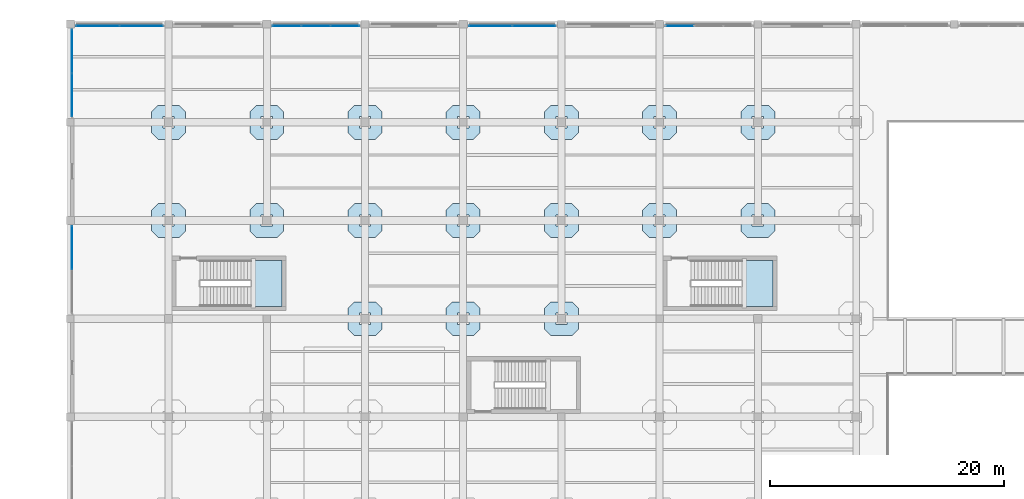
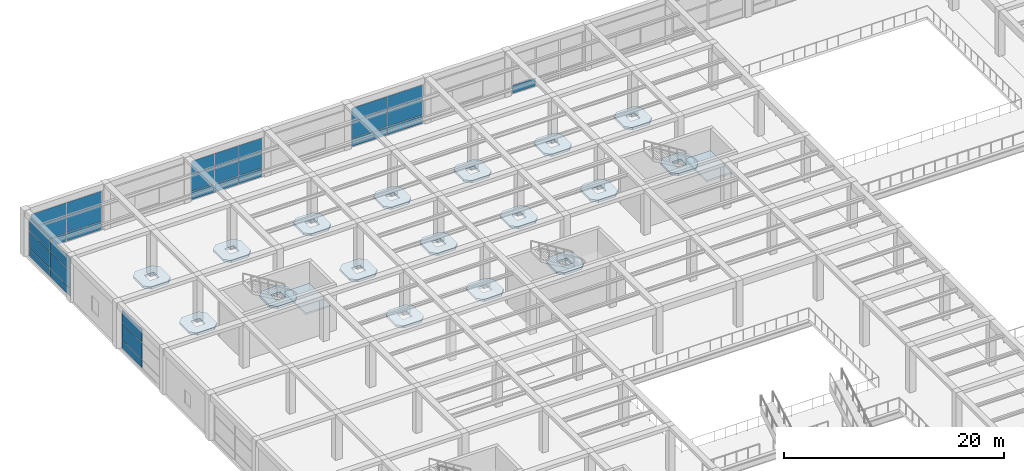
# One storey, part 72 of 96: 31 plates, 19 slabs, 8 elements without a shape of their own.
"""IFC4 building model written with IfcOpenShell, lengths in metres."""

from ifc_helpers import new_model, si_unit, direction, frame, origin, origin_2d, place, context, subcontext, project, spatial, polyline, rectangle, outline, extrude, material, layer, layer_set, type_object, element, aggregate, save


model = new_model("IFC4")

# Units and contexts
model_context = context("Model", 3, precision=1e-05, world=origin(), true_north=direction((0.0, 1.0)))
body_context = subcontext(model_context, "Body", "Model", "MODEL_VIEW")
ifc_project = project(units=[si_unit("LENGTHUNIT", "METRE"), si_unit("AREAUNIT", "SQUARE_METRE"), si_unit("VOLUMEUNIT", "CUBIC_METRE"), si_unit("PLANEANGLEUNIT", "RADIAN"), si_unit("MASSUNIT", "GRAM", prefix="KILO")], contexts=[model_context])

# Site, building, storey
site_placement = place(None, origin())
site = spatial("IfcSite", under=ifc_project, at=site_placement, CompositionType="ELEMENT")
building_placement = place(site_placement, origin())
building = spatial("IfcBuilding", under=site, at=building_placement, Name="Almacenes y Pasaje Nevantli", CompositionType="ELEMENT")
storey_placement = place(building_placement, frame((0.0, 0.0, 6.0)))
storey = spatial("IfcBuildingStorey", under=building, at=storey_placement, Name="L02", CompositionType="ELEMENT", Elevation=6.0)

# Curtain wall, plates
ifc_material_1 = material(Name="Thermally Broken Aluminium and Low-E Glass", Category="aluminium")
curtain_wall_type_1 = type_object("IfcCurtainWallType", Name="CW-STF-BLVD", PredefinedType="USERDEFINED", material=ifc_material_1)
curtain_wall_1_placement = place(storey_placement, origin())
curtain_wall_1 = element("IfcCurtainWall", 1, at=curtain_wall_1_placement, inside=storey, type_object=curtain_wall_type_1, Name="L02 North Boulevard Retail Curtain Wall Bay 1", ObjectType="STOREFRONT GLAZING", PredefinedType="USERDEFINED")
ifc_material_2 = material(Name="Low-E Double Glazed Insulated Unit", Category="glass")
ifc_layer_1 = layer(ifc_material_2, 0.031982421875)
ifc_layer_set_1 = layer_set([ifc_layer_1], Name="Low-E Double Glazed Insulated Unit")
plate_type = type_object("IfcPlateType", Name="PL-IGU-32", PredefinedType="CURTAIN_PANEL", material=ifc_layer_set_1)
plate_1_placement = place(storey_placement, frame((2.340087890625, 117.449951171875, 0.06005859375), z_axis=(0.0, 0.0, 1.0), x_axis=(1.0, 0.0, 0.0)))
plate_1 = element("IfcPlate", 2, at=plate_1_placement, type_object=plate_type, Name="CW-L02-001 panel 1.1", PredefinedType="CURTAIN_PANEL", context=body_context, shape_type="SweptSolid", body=[
    extrude(rectangle(XDim=3.659912109375, YDim=0.031982421875, at=origin_2d()), origin(), (0.0, 0.0, 1.0), 0.860107421875),
])
plate_2_placement = place(storey_placement, frame((2.340087890625, 117.449951171875, 0.97998046875), z_axis=(0.0, 0.0, 1.0), x_axis=(1.0, 0.0, 0.0)))
plate_2 = element("IfcPlate", 3, at=plate_2_placement, type_object=plate_type, Name="CW-L02-001 panel 1.2", PredefinedType="CURTAIN_PANEL", context=body_context, shape_type="SweptSolid", body=[
    extrude(rectangle(XDim=3.659912109375, YDim=0.031982421875, at=origin_2d()), origin(), (0.0, 0.0, 1.0), 1.840087890625),
])
plate_3_placement = place(storey_placement, frame((2.340087890625, 117.449951171875, 2.880126953125), z_axis=(0.0, 0.0, 1.0), x_axis=(1.0, 0.0, 0.0)))
plate_3 = element("IfcPlate", 4, at=plate_3_placement, type_object=plate_type, Name="CW-L02-001 panel 1.3", PredefinedType="CURTAIN_PANEL", context=body_context, shape_type="SweptSolid", body=[
    extrude(rectangle(XDim=3.659912109375, YDim=0.031982421875, at=origin_2d()), origin(), (0.0, 0.0, 1.0), 1.43994140625),
])
plate_4_placement = place(storey_placement, frame((6.06005859375, 117.449951171875, 0.06005859375), z_axis=(0.0, 0.0, 1.0), x_axis=(1.0, 0.0, 0.0)))
plate_4 = element("IfcPlate", 5, at=plate_4_placement, type_object=plate_type, Name="CW-L02-001 panel 2.1", PredefinedType="CURTAIN_PANEL", context=body_context, shape_type="SweptSolid", body=[
    extrude(rectangle(XDim=3.659912109375, YDim=0.031982421875, at=origin_2d()), origin(), (0.0, 0.0, 1.0), 0.860107421875),
])
plate_5_placement = place(storey_placement, frame((6.06005859375, 117.449951171875, 0.97998046875), z_axis=(0.0, 0.0, 1.0), x_axis=(1.0, 0.0, 0.0)))
plate_5 = element("IfcPlate", 6, at=plate_5_placement, type_object=plate_type, Name="CW-L02-001 panel 2.2", PredefinedType="CURTAIN_PANEL", context=body_context, shape_type="SweptSolid", body=[
    extrude(rectangle(XDim=3.659912109375, YDim=0.031982421875, at=origin_2d()), origin(), (0.0, 0.0, 1.0), 1.840087890625),
])
plate_6_placement = place(storey_placement, frame((6.06005859375, 117.449951171875, 2.880126953125), z_axis=(0.0, 0.0, 1.0), x_axis=(1.0, 0.0, 0.0)))
plate_6 = element("IfcPlate", 7, at=plate_6_placement, type_object=plate_type, Name="CW-L02-001 panel 2.3", PredefinedType="CURTAIN_PANEL", context=body_context, shape_type="SweptSolid", body=[
    extrude(rectangle(XDim=3.659912109375, YDim=0.031982421875, at=origin_2d()), origin(), (0.0, 0.0, 1.0), 1.43994140625),
])
aggregate(curtain_wall_1, [plate_1, plate_2, plate_3, plate_4, plate_5, plate_6])

curtain_wall_2_placement = place(storey_placement, origin())
curtain_wall_2 = element("IfcCurtainWall", 8, at=curtain_wall_2_placement, inside=storey, type_object=curtain_wall_type_1, Name="L02 North Boulevard Retail Curtain Wall Bay 3", ObjectType="STOREFRONT GLAZING", PredefinedType="USERDEFINED")
plate_7_placement = place(storey_placement, frame((18.514892578125, 117.449951171875, 0.06005859375), z_axis=(0.0, 0.0, 1.0), x_axis=(1.0, 0.0, 0.0)))
plate_7 = element("IfcPlate", 9, at=plate_7_placement, type_object=plate_type, Name="CW-L02-002 panel 1.1", PredefinedType="CURTAIN_PANEL", context=body_context, shape_type="SweptSolid", body=[
    extrude(rectangle(XDim=2.409912109375, YDim=0.031982421875, at=origin_2d()), origin(), (0.0, 0.0, 1.0), 0.860107421875),
])
plate_8_placement = place(storey_placement, frame((18.514892578125, 117.449951171875, 0.97998046875), z_axis=(0.0, 0.0, 1.0), x_axis=(1.0, 0.0, 0.0)))
plate_8 = element("IfcPlate", 10, at=plate_8_placement, type_object=plate_type, Name="CW-L02-002 panel 1.2", PredefinedType="CURTAIN_PANEL", context=body_context, shape_type="SweptSolid", body=[
    extrude(rectangle(XDim=2.409912109375, YDim=0.031982421875, at=origin_2d()), origin(), (0.0, 0.0, 1.0), 1.840087890625),
])
plate_9_placement = place(storey_placement, frame((18.514892578125, 117.449951171875, 2.880126953125), z_axis=(0.0, 0.0, 1.0), x_axis=(1.0, 0.0, 0.0)))
plate_9 = element("IfcPlate", 11, at=plate_9_placement, type_object=plate_type, Name="CW-L02-002 panel 1.3", PredefinedType="CURTAIN_PANEL", context=body_context, shape_type="SweptSolid", body=[
    extrude(rectangle(XDim=2.409912109375, YDim=0.031982421875, at=origin_2d()), origin(), (0.0, 0.0, 1.0), 1.43994140625),
])
plate_10_placement = place(storey_placement, frame((21.0, 117.449951171875, 0.06005859375), z_axis=(0.0, 0.0, 1.0), x_axis=(1.0, 0.0, 0.0)))
plate_10 = element("IfcPlate", 12, at=plate_10_placement, type_object=plate_type, Name="CW-L02-002 panel 2.1", PredefinedType="CURTAIN_PANEL", context=body_context, shape_type="SweptSolid", body=[
    extrude(rectangle(XDim=2.43994140625, YDim=0.031982421875, at=origin_2d()), origin(), (0.0, 0.0, 1.0), 0.860107421875),
])
plate_11_placement = place(storey_placement, frame((21.0, 117.449951171875, 0.97998046875), z_axis=(0.0, 0.0, 1.0), x_axis=(1.0, 0.0, 0.0)))
plate_11 = element("IfcPlate", 13, at=plate_11_placement, type_object=plate_type, Name="CW-L02-002 panel 2.2", PredefinedType="CURTAIN_PANEL", context=body_context, shape_type="SweptSolid", body=[
    extrude(rectangle(XDim=2.43994140625, YDim=0.031982421875, at=origin_2d()), origin(), (0.0, 0.0, 1.0), 1.840087890625),
])
plate_12_placement = place(storey_placement, frame((21.0, 117.449951171875, 2.880126953125), z_axis=(0.0, 0.0, 1.0), x_axis=(1.0, 0.0, 0.0)))
plate_12 = element("IfcPlate", 14, at=plate_12_placement, type_object=plate_type, Name="CW-L02-002 panel 2.3", PredefinedType="CURTAIN_PANEL", context=body_context, shape_type="SweptSolid", body=[
    extrude(rectangle(XDim=2.43994140625, YDim=0.031982421875, at=origin_2d()), origin(), (0.0, 0.0, 1.0), 1.43994140625),
])
plate_13_placement = place(storey_placement, frame((23.485107421875, 117.449951171875, 0.06005859375), z_axis=(0.0, 0.0, 1.0), x_axis=(1.0, 0.0, 0.0)))
plate_13 = element("IfcPlate", 15, at=plate_13_placement, type_object=plate_type, Name="CW-L02-002 panel 3.1", PredefinedType="CURTAIN_PANEL", context=body_context, shape_type="SweptSolid", body=[
    extrude(rectangle(XDim=2.409912109375, YDim=0.031982421875, at=origin_2d()), origin(), (0.0, 0.0, 1.0), 0.860107421875),
])
plate_14_placement = place(storey_placement, frame((23.485107421875, 117.449951171875, 0.97998046875), z_axis=(0.0, 0.0, 1.0), x_axis=(1.0, 0.0, 0.0)))
plate_14 = element("IfcPlate", 16, at=plate_14_placement, type_object=plate_type, Name="CW-L02-002 panel 3.2", PredefinedType="CURTAIN_PANEL", context=body_context, shape_type="SweptSolid", body=[
    extrude(rectangle(XDim=2.409912109375, YDim=0.031982421875, at=origin_2d()), origin(), (0.0, 0.0, 1.0), 1.840087890625),
])
plate_15_placement = place(storey_placement, frame((23.485107421875, 117.449951171875, 2.880126953125), z_axis=(0.0, 0.0, 1.0), x_axis=(1.0, 0.0, 0.0)))
plate_15 = element("IfcPlate", 17, at=plate_15_placement, type_object=plate_type, Name="CW-L02-002 panel 3.3", PredefinedType="CURTAIN_PANEL", context=body_context, shape_type="SweptSolid", body=[
    extrude(rectangle(XDim=2.409912109375, YDim=0.031982421875, at=origin_2d()), origin(), (0.0, 0.0, 1.0), 1.43994140625),
])
aggregate(curtain_wall_2, [plate_7, plate_8, plate_9, plate_10, plate_11, plate_12, plate_13, plate_14, plate_15])

curtain_wall_3_placement = place(storey_placement, origin())
curtain_wall_3 = element("IfcCurtainWall", 18, at=curtain_wall_3_placement, inside=storey, type_object=curtain_wall_type_1, Name="L02 North Boulevard Retail Curtain Wall Bay 5", ObjectType="STOREFRONT GLAZING", PredefinedType="USERDEFINED")
plate_16_placement = place(storey_placement, frame((35.93994140625, 117.449951171875, 0.06005859375), z_axis=(0.0, 0.0, 1.0), x_axis=(1.0, 0.0, 0.0)))
plate_16 = element("IfcPlate", 19, at=plate_16_placement, type_object=plate_type, Name="CW-L02-003 panel 1.1", PredefinedType="CURTAIN_PANEL", context=body_context, shape_type="SweptSolid", body=[
    extrude(rectangle(XDim=3.659912109375, YDim=0.031982421875, at=origin_2d()), origin(), (0.0, 0.0, 1.0), 0.860107421875),
])
plate_17_placement = place(storey_placement, frame((35.93994140625, 117.449951171875, 0.97998046875), z_axis=(0.0, 0.0, 1.0), x_axis=(1.0, 0.0, 0.0)))
plate_17 = element("IfcPlate", 20, at=plate_17_placement, type_object=plate_type, Name="CW-L02-003 panel 1.2", PredefinedType="CURTAIN_PANEL", context=body_context, shape_type="SweptSolid", body=[
    extrude(rectangle(XDim=3.659912109375, YDim=0.031982421875, at=origin_2d()), origin(), (0.0, 0.0, 1.0), 1.840087890625),
])
plate_18_placement = place(storey_placement, frame((35.93994140625, 117.449951171875, 2.880126953125), z_axis=(0.0, 0.0, 1.0), x_axis=(1.0, 0.0, 0.0)))
plate_18 = element("IfcPlate", 21, at=plate_18_placement, type_object=plate_type, Name="CW-L02-003 panel 1.3", PredefinedType="CURTAIN_PANEL", context=body_context, shape_type="SweptSolid", body=[
    extrude(rectangle(XDim=3.659912109375, YDim=0.031982421875, at=origin_2d()), origin(), (0.0, 0.0, 1.0), 1.43994140625),
])
plate_19_placement = place(storey_placement, frame((39.659912109375, 117.449951171875, 0.06005859375), z_axis=(0.0, 0.0, 1.0), x_axis=(1.0, 0.0, 0.0)))
plate_19 = element("IfcPlate", 22, at=plate_19_placement, type_object=plate_type, Name="CW-L02-003 panel 2.1", PredefinedType="CURTAIN_PANEL", context=body_context, shape_type="SweptSolid", body=[
    extrude(rectangle(XDim=3.659912109375, YDim=0.031982421875, at=origin_2d()), origin(), (0.0, 0.0, 1.0), 0.860107421875),
])
plate_20_placement = place(storey_placement, frame((39.659912109375, 117.449951171875, 0.97998046875), z_axis=(0.0, 0.0, 1.0), x_axis=(1.0, 0.0, 0.0)))
plate_20 = element("IfcPlate", 23, at=plate_20_placement, type_object=plate_type, Name="CW-L02-003 panel 2.2", PredefinedType="CURTAIN_PANEL", context=body_context, shape_type="SweptSolid", body=[
    extrude(rectangle(XDim=3.659912109375, YDim=0.031982421875, at=origin_2d()), origin(), (0.0, 0.0, 1.0), 1.840087890625),
])
plate_21_placement = place(storey_placement, frame((39.659912109375, 117.449951171875, 2.880126953125), z_axis=(0.0, 0.0, 1.0), x_axis=(1.0, 0.0, 0.0)))
plate_21 = element("IfcPlate", 24, at=plate_21_placement, type_object=plate_type, Name="CW-L02-003 panel 2.3", PredefinedType="CURTAIN_PANEL", context=body_context, shape_type="SweptSolid", body=[
    extrude(rectangle(XDim=3.659912109375, YDim=0.031982421875, at=origin_2d()), origin(), (0.0, 0.0, 1.0), 1.43994140625),
])
aggregate(curtain_wall_3, [plate_16, plate_17, plate_18, plate_19, plate_20, plate_21])

# Curtain wall, plate
curtain_wall_4_placement = place(storey_placement, origin())
curtain_wall_4 = element("IfcCurtainWall", 25, at=curtain_wall_4_placement, inside=storey, type_object=curtain_wall_type_1, Name="L02 North Boulevard Retail Curtain Wall Bay 7", ObjectType="STOREFRONT GLAZING", PredefinedType="USERDEFINED")
plate_22_placement = place(storey_placement, frame((52.114990234375, 117.449951171875, 0.06005859375), z_axis=(0.0, 0.0, 1.0), x_axis=(1.0, 0.0, 0.0)))
plate_22 = element("IfcPlate", 26, at=plate_22_placement, type_object=plate_type, Name="CW-L02-004 panel 1.1", PredefinedType="CURTAIN_PANEL", context=body_context, shape_type="SweptSolid", body=[
    extrude(rectangle(XDim=2.409912109375, YDim=0.031982421875, at=origin_2d()), origin(), (0.0, 0.0, 1.0), 0.860107421875),
])
aggregate(curtain_wall_4, [plate_22])

# Curtain wall, plates
ifc_material_3 = material(Name="Thermally Broken Aluminium and Low-E Glass", Category="aluminium")
curtain_wall_type_2 = type_object("IfcCurtainWallType", Name="CW-UNIT-PODIUM", PredefinedType="USERDEFINED", material=ifc_material_3)
curtain_wall_5_placement = place(storey_placement, origin())
curtain_wall_5 = element("IfcCurtainWall", 27, at=curtain_wall_5_placement, inside=storey, type_object=curtain_wall_type_2, Name="L02 West Avenue Unitized Curtain Wall Bay 12", ObjectType="UNITIZED CURTAIN WALL", PredefinedType="USERDEFINED")
plate_23_placement = place(storey_placement, frame((0.14990234375, 98.461181640625, 0.05517578125), z_axis=(0.0, 0.0, 1.0), x_axis=(0.0, 1.0, 0.0)))
plate_23 = element("IfcPlate", 28, at=plate_23_placement, type_object=plate_type, Name="CW-L02-019 panel 2.1", PredefinedType="CURTAIN_PANEL", context=body_context, shape_type="SweptSolid", body=[
    extrude(rectangle(XDim=3.66748046875, YDim=0.031982421875, at=origin_2d()), origin(), (0.0, 0.0, 1.0), 0.867431640625),
])
plate_24_placement = place(storey_placement, frame((0.14990234375, 98.461181640625, 0.9775390625), z_axis=(0.0, 0.0, 1.0), x_axis=(0.0, 1.0, 0.0)))
plate_24 = element("IfcPlate", 29, at=plate_24_placement, type_object=plate_type, Name="CW-L02-019 panel 2.2", PredefinedType="CURTAIN_PANEL", context=body_context, shape_type="SweptSolid", body=[
    extrude(rectangle(XDim=3.66748046875, YDim=0.031982421875, at=origin_2d()), origin(), (0.0, 0.0, 1.0), 1.844970703125),
])
plate_25_placement = place(storey_placement, frame((0.14990234375, 98.461181640625, 2.87744140625), z_axis=(0.0, 0.0, 1.0), x_axis=(0.0, 1.0, 0.0)))
plate_25 = element("IfcPlate", 30, at=plate_25_placement, type_object=plate_type, Name="CW-L02-019 panel 2.3", PredefinedType="CURTAIN_PANEL", context=body_context, shape_type="SweptSolid", body=[
    extrude(rectangle(XDim=3.66748046875, YDim=0.031982421875, at=origin_2d()), origin(), (0.0, 0.0, 1.0), 1.447509765625),
])
aggregate(curtain_wall_5, [plate_23, plate_24, plate_25])

curtain_wall_6_placement = place(storey_placement, origin())
curtain_wall_6 = element("IfcCurtainWall", 31, at=curtain_wall_6_placement, inside=storey, type_object=curtain_wall_type_2, Name="L02 West Avenue Unitized Curtain Wall Bay 14", ObjectType="UNITIZED CURTAIN WALL", PredefinedType="USERDEFINED")
plate_26_placement = place(storey_placement, frame((0.14990234375, 111.538818359375, 0.05517578125), z_axis=(0.0, 0.0, 1.0), x_axis=(0.0, 1.0, 0.0)))
plate_26 = element("IfcPlate", 32, at=plate_26_placement, type_object=plate_type, Name="CW-L02-020 panel 1.1", PredefinedType="CURTAIN_PANEL", context=body_context, shape_type="SweptSolid", body=[
    extrude(rectangle(XDim=3.66748046875, YDim=0.031982421875, at=origin_2d()), origin(), (0.0, 0.0, 1.0), 0.867431640625),
])
plate_27_placement = place(storey_placement, frame((0.14990234375, 111.538818359375, 0.9775390625), z_axis=(0.0, 0.0, 1.0), x_axis=(0.0, 1.0, 0.0)))
plate_27 = element("IfcPlate", 33, at=plate_27_placement, type_object=plate_type, Name="CW-L02-020 panel 1.2", PredefinedType="CURTAIN_PANEL", context=body_context, shape_type="SweptSolid", body=[
    extrude(rectangle(XDim=3.66748046875, YDim=0.031982421875, at=origin_2d()), origin(), (0.0, 0.0, 1.0), 1.844970703125),
])
plate_28_placement = place(storey_placement, frame((0.14990234375, 111.538818359375, 2.87744140625), z_axis=(0.0, 0.0, 1.0), x_axis=(0.0, 1.0, 0.0)))
plate_28 = element("IfcPlate", 34, at=plate_28_placement, type_object=plate_type, Name="CW-L02-020 panel 1.3", PredefinedType="CURTAIN_PANEL", context=body_context, shape_type="SweptSolid", body=[
    extrude(rectangle(XDim=3.66748046875, YDim=0.031982421875, at=origin_2d()), origin(), (0.0, 0.0, 1.0), 1.447509765625),
])
plate_29_placement = place(storey_placement, frame((0.14990234375, 115.26123046875, 0.05517578125), z_axis=(0.0, 0.0, 1.0), x_axis=(0.0, 1.0, 0.0)))
plate_29 = element("IfcPlate", 35, at=plate_29_placement, type_object=plate_type, Name="CW-L02-020 panel 2.1", PredefinedType="CURTAIN_PANEL", context=body_context, shape_type="SweptSolid", body=[
    extrude(rectangle(XDim=3.66748046875, YDim=0.031982421875, at=origin_2d()), origin(), (0.0, 0.0, 1.0), 0.867431640625),
])
plate_30_placement = place(storey_placement, frame((0.14990234375, 115.26123046875, 0.9775390625), z_axis=(0.0, 0.0, 1.0), x_axis=(0.0, 1.0, 0.0)))
plate_30 = element("IfcPlate", 36, at=plate_30_placement, type_object=plate_type, Name="CW-L02-020 panel 2.2", PredefinedType="CURTAIN_PANEL", context=body_context, shape_type="SweptSolid", body=[
    extrude(rectangle(XDim=3.66748046875, YDim=0.031982421875, at=origin_2d()), origin(), (0.0, 0.0, 1.0), 1.844970703125),
])
plate_31_placement = place(storey_placement, frame((0.14990234375, 115.26123046875, 2.87744140625), z_axis=(0.0, 0.0, 1.0), x_axis=(0.0, 1.0, 0.0)))
plate_31 = element("IfcPlate", 37, at=plate_31_placement, type_object=plate_type, Name="CW-L02-020 panel 2.3", PredefinedType="CURTAIN_PANEL", context=body_context, shape_type="SweptSolid", body=[
    extrude(rectangle(XDim=3.66748046875, YDim=0.031982421875, at=origin_2d()), origin(), (0.0, 0.0, 1.0), 1.447509765625),
])
aggregate(curtain_wall_6, [plate_26, plate_27, plate_28, plate_29, plate_30, plate_31])

# Slabs
ifc_material_4 = material(Name="Concrete C35/45", Category="concrete")
ifc_layer_2 = layer(ifc_material_4, 0.25)
ifc_layer_set_2 = layer_set([ifc_layer_2], Name="Concrete C35/45")
slab_type_1 = type_object("IfcSlabType", Name="SLB-DP-250", PredefinedType="USERDEFINED", material=ifc_layer_set_2)
slab_1_placement = place(storey_placement, frame((0.0, 0.0, -0.550048828125)))
element("IfcSlab", 38, at=slab_1_placement, inside=storey, type_object=slab_type_1, Name="L02 Punching-Shear Drop Panel DP-02 #407", ObjectType="DROP PANEL", PredefinedType="USERDEFINED", context=body_context, shape_type="SweptSolid", body=[
    extrude(outline(polyline([(7.5, 99.35009765625), (9.300048828125, 99.35009765625), (9.85009765625, 99.89990234375), (9.85009765625, 101.699951171875), (9.300048828125, 102.25), (7.5, 102.25), (6.949951171875, 101.699951171875), (6.949951171875, 99.89990234375), (7.5, 99.35009765625)]), holes=[polyline([(7.919921875, 100.320068359375), (8.8798828125, 100.320068359375), (8.8798828125, 101.280029296875), (7.919921875, 101.280029296875), (7.919921875, 100.320068359375)])]), origin(), (0.0, 0.0, 1.0), 0.25),
])
slab_2_placement = place(storey_placement, frame((0.0, 0.0, -0.550048828125)))
element("IfcSlab", 39, at=slab_2_placement, inside=storey, type_object=slab_type_1, Name="L02 Punching-Shear Drop Panel DP-02 #408", ObjectType="DROP PANEL", PredefinedType="USERDEFINED", context=body_context, shape_type="SweptSolid", body=[
    extrude(outline(polyline([(7.5, 107.75), (9.300048828125, 107.75), (9.85009765625, 108.300048828125), (9.85009765625, 110.10009765625), (9.300048828125, 110.64990234375), (7.5, 110.64990234375), (6.949951171875, 110.10009765625), (6.949951171875, 108.300048828125), (7.5, 107.75)]), holes=[polyline([(7.919921875, 108.719970703125), (8.8798828125, 108.719970703125), (8.8798828125, 109.679931640625), (7.919921875, 109.679931640625), (7.919921875, 108.719970703125)])]), origin(), (0.0, 0.0, 1.0), 0.25),
])
slab_3_placement = place(storey_placement, frame((0.0, 0.0, -0.550048828125)))
element("IfcSlab", 40, at=slab_3_placement, inside=storey, type_object=slab_type_1, Name="L02 Punching-Shear Drop Panel DP-02 #415", ObjectType="DROP PANEL", PredefinedType="USERDEFINED", context=body_context, shape_type="SweptSolid", body=[
    extrude(outline(polyline([(15.89990234375, 99.35009765625), (17.699951171875, 99.35009765625), (18.25, 99.89990234375), (18.25, 101.699951171875), (17.699951171875, 102.25), (15.89990234375, 102.25), (15.35009765625, 101.699951171875), (15.35009765625, 99.89990234375), (15.89990234375, 99.35009765625)]), holes=[polyline([(16.320068359375, 100.320068359375), (17.280029296875, 100.320068359375), (17.280029296875, 101.280029296875), (16.320068359375, 101.280029296875), (16.320068359375, 100.320068359375)])]), origin(), (0.0, 0.0, 1.0), 0.25),
])
slab_4_placement = place(storey_placement, frame((0.0, 0.0, -0.550048828125)))
element("IfcSlab", 41, at=slab_4_placement, inside=storey, type_object=slab_type_1, Name="L02 Punching-Shear Drop Panel DP-02 #416", ObjectType="DROP PANEL", PredefinedType="USERDEFINED", context=body_context, shape_type="SweptSolid", body=[
    extrude(outline(polyline([(15.89990234375, 107.75), (17.699951171875, 107.75), (18.25, 108.300048828125), (18.25, 110.10009765625), (17.699951171875, 110.64990234375), (15.89990234375, 110.64990234375), (15.35009765625, 110.10009765625), (15.35009765625, 108.300048828125), (15.89990234375, 107.75)]), holes=[polyline([(16.320068359375, 108.719970703125), (17.280029296875, 108.719970703125), (17.280029296875, 109.679931640625), (16.320068359375, 109.679931640625), (16.320068359375, 108.719970703125)])]), origin(), (0.0, 0.0, 1.0), 0.25),
])
slab_5_placement = place(storey_placement, frame((0.0, 0.0, -0.550048828125)))
element("IfcSlab", 42, at=slab_5_placement, inside=storey, type_object=slab_type_1, Name="L02 Punching-Shear Drop Panel DP-02 #425", ObjectType="DROP PANEL", PredefinedType="USERDEFINED", context=body_context, shape_type="SweptSolid", body=[
    extrude(outline(polyline([(24.300048828125, 90.949951171875), (26.10009765625, 90.949951171875), (26.64990234375, 91.5), (26.64990234375, 93.300048828125), (26.10009765625, 93.85009765625), (24.300048828125, 93.85009765625), (23.75, 93.300048828125), (23.75, 91.5), (24.300048828125, 90.949951171875)]), holes=[polyline([(24.719970703125, 91.919921875), (25.679931640625, 91.919921875), (25.679931640625, 92.8798828125), (24.719970703125, 92.8798828125), (24.719970703125, 91.919921875)])]), origin(), (0.0, 0.0, 1.0), 0.25),
])
slab_6_placement = place(storey_placement, frame((0.0, 0.0, -0.550048828125)))
element("IfcSlab", 43, at=slab_6_placement, inside=storey, type_object=slab_type_1, Name="L02 Punching-Shear Drop Panel DP-02 #426", ObjectType="DROP PANEL", PredefinedType="USERDEFINED", context=body_context, shape_type="SweptSolid", body=[
    extrude(outline(polyline([(24.300048828125, 99.35009765625), (26.10009765625, 99.35009765625), (26.64990234375, 99.89990234375), (26.64990234375, 101.699951171875), (26.10009765625, 102.25), (24.300048828125, 102.25), (23.75, 101.699951171875), (23.75, 99.89990234375), (24.300048828125, 99.35009765625)]), holes=[polyline([(24.719970703125, 100.320068359375), (25.679931640625, 100.320068359375), (25.679931640625, 101.280029296875), (24.719970703125, 101.280029296875), (24.719970703125, 100.320068359375)])]), origin(), (0.0, 0.0, 1.0), 0.25),
])
slab_7_placement = place(storey_placement, frame((0.0, 0.0, -0.550048828125)))
element("IfcSlab", 44, at=slab_7_placement, inside=storey, type_object=slab_type_1, Name="L02 Punching-Shear Drop Panel DP-02 #427", ObjectType="DROP PANEL", PredefinedType="USERDEFINED", context=body_context, shape_type="SweptSolid", body=[
    extrude(outline(polyline([(24.300048828125, 107.75), (26.10009765625, 107.75), (26.64990234375, 108.300048828125), (26.64990234375, 110.10009765625), (26.10009765625, 110.64990234375), (24.300048828125, 110.64990234375), (23.75, 110.10009765625), (23.75, 108.300048828125), (24.300048828125, 107.75)]), holes=[polyline([(24.719970703125, 108.719970703125), (25.679931640625, 108.719970703125), (25.679931640625, 109.679931640625), (24.719970703125, 109.679931640625), (24.719970703125, 108.719970703125)])]), origin(), (0.0, 0.0, 1.0), 0.25),
])
slab_8_placement = place(storey_placement, frame((0.0, 0.0, -0.550048828125)))
element("IfcSlab", 45, at=slab_8_placement, inside=storey, type_object=slab_type_1, Name="L02 Punching-Shear Drop Panel DP-02 #436", ObjectType="DROP PANEL", PredefinedType="USERDEFINED", context=body_context, shape_type="SweptSolid", body=[
    extrude(outline(polyline([(32.699951171875, 90.949951171875), (34.5, 90.949951171875), (35.050048828125, 91.5), (35.050048828125, 93.300048828125), (34.5, 93.85009765625), (32.699951171875, 93.85009765625), (32.14990234375, 93.300048828125), (32.14990234375, 91.5), (32.699951171875, 90.949951171875)]), holes=[polyline([(33.1201171875, 91.919921875), (34.080078125, 91.919921875), (34.080078125, 92.8798828125), (33.1201171875, 92.8798828125), (33.1201171875, 91.919921875)])]), origin(), (0.0, 0.0, 1.0), 0.25),
])
slab_9_placement = place(storey_placement, frame((0.0, 0.0, -0.550048828125)))
element("IfcSlab", 46, at=slab_9_placement, inside=storey, type_object=slab_type_1, Name="L02 Punching-Shear Drop Panel DP-02 #437", ObjectType="DROP PANEL", PredefinedType="USERDEFINED", context=body_context, shape_type="SweptSolid", body=[
    extrude(outline(polyline([(32.699951171875, 99.35009765625), (34.5, 99.35009765625), (35.050048828125, 99.89990234375), (35.050048828125, 101.699951171875), (34.5, 102.25), (32.699951171875, 102.25), (32.14990234375, 101.699951171875), (32.14990234375, 99.89990234375), (32.699951171875, 99.35009765625)]), holes=[polyline([(33.1201171875, 100.320068359375), (34.080078125, 100.320068359375), (34.080078125, 101.280029296875), (33.1201171875, 101.280029296875), (33.1201171875, 100.320068359375)])]), origin(), (0.0, 0.0, 1.0), 0.25),
])
slab_10_placement = place(storey_placement, frame((0.0, 0.0, -0.550048828125)))
element("IfcSlab", 47, at=slab_10_placement, inside=storey, type_object=slab_type_1, Name="L02 Punching-Shear Drop Panel DP-02 #438", ObjectType="DROP PANEL", PredefinedType="USERDEFINED", context=body_context, shape_type="SweptSolid", body=[
    extrude(outline(polyline([(32.699951171875, 107.75), (34.5, 107.75), (35.050048828125, 108.300048828125), (35.050048828125, 110.10009765625), (34.5, 110.64990234375), (32.699951171875, 110.64990234375), (32.14990234375, 110.10009765625), (32.14990234375, 108.300048828125), (32.699951171875, 107.75)]), holes=[polyline([(33.1201171875, 108.719970703125), (34.080078125, 108.719970703125), (34.080078125, 109.679931640625), (33.1201171875, 109.679931640625), (33.1201171875, 108.719970703125)])]), origin(), (0.0, 0.0, 1.0), 0.25),
])
slab_11_placement = place(storey_placement, frame((0.0, 0.0, -0.550048828125)))
element("IfcSlab", 48, at=slab_11_placement, inside=storey, type_object=slab_type_1, Name="L02 Punching-Shear Drop Panel DP-02 #444", ObjectType="DROP PANEL", PredefinedType="USERDEFINED", context=body_context, shape_type="SweptSolid", body=[
    extrude(outline(polyline([(41.10009765625, 90.949951171875), (42.89990234375, 90.949951171875), (43.449951171875, 91.5), (43.449951171875, 93.300048828125), (42.89990234375, 93.85009765625), (41.10009765625, 93.85009765625), (40.550048828125, 93.300048828125), (40.550048828125, 91.5), (41.10009765625, 90.949951171875)]), holes=[polyline([(41.52001953125, 91.919921875), (42.47998046875, 91.919921875), (42.47998046875, 92.8798828125), (41.52001953125, 92.8798828125), (41.52001953125, 91.919921875)])]), origin(), (0.0, 0.0, 1.0), 0.25),
])
slab_12_placement = place(storey_placement, frame((0.0, 0.0, -0.550048828125)))
element("IfcSlab", 49, at=slab_12_placement, inside=storey, type_object=slab_type_1, Name="L02 Punching-Shear Drop Panel DP-02 #445", ObjectType="DROP PANEL", PredefinedType="USERDEFINED", context=body_context, shape_type="SweptSolid", body=[
    extrude(outline(polyline([(41.10009765625, 99.35009765625), (42.89990234375, 99.35009765625), (43.449951171875, 99.89990234375), (43.449951171875, 101.699951171875), (42.89990234375, 102.25), (41.10009765625, 102.25), (40.550048828125, 101.699951171875), (40.550048828125, 99.89990234375), (41.10009765625, 99.35009765625)]), holes=[polyline([(41.52001953125, 100.320068359375), (42.47998046875, 100.320068359375), (42.47998046875, 101.280029296875), (41.52001953125, 101.280029296875), (41.52001953125, 100.320068359375)])]), origin(), (0.0, 0.0, 1.0), 0.25),
])
slab_13_placement = place(storey_placement, frame((0.0, 0.0, -0.550048828125)))
element("IfcSlab", 50, at=slab_13_placement, inside=storey, type_object=slab_type_1, Name="L02 Punching-Shear Drop Panel DP-02 #446", ObjectType="DROP PANEL", PredefinedType="USERDEFINED", context=body_context, shape_type="SweptSolid", body=[
    extrude(outline(polyline([(41.10009765625, 107.75), (42.89990234375, 107.75), (43.449951171875, 108.300048828125), (43.449951171875, 110.10009765625), (42.89990234375, 110.64990234375), (41.10009765625, 110.64990234375), (40.550048828125, 110.10009765625), (40.550048828125, 108.300048828125), (41.10009765625, 107.75)]), holes=[polyline([(41.52001953125, 108.719970703125), (42.47998046875, 108.719970703125), (42.47998046875, 109.679931640625), (41.52001953125, 109.679931640625), (41.52001953125, 108.719970703125)])]), origin(), (0.0, 0.0, 1.0), 0.25),
])
slab_14_placement = place(storey_placement, frame((0.0, 0.0, -0.550048828125)))
element("IfcSlab", 51, at=slab_14_placement, inside=storey, type_object=slab_type_1, Name="L02 Punching-Shear Drop Panel DP-02 #453", ObjectType="DROP PANEL", PredefinedType="USERDEFINED", context=body_context, shape_type="SweptSolid", body=[
    extrude(outline(polyline([(49.5, 99.35009765625), (51.300048828125, 99.35009765625), (51.85009765625, 99.89990234375), (51.85009765625, 101.699951171875), (51.300048828125, 102.25), (49.5, 102.25), (48.949951171875, 101.699951171875), (48.949951171875, 99.89990234375), (49.5, 99.35009765625)]), holes=[polyline([(49.919921875, 100.320068359375), (50.8798828125, 100.320068359375), (50.8798828125, 101.280029296875), (49.919921875, 101.280029296875), (49.919921875, 100.320068359375)])]), origin(), (0.0, 0.0, 1.0), 0.25),
])
slab_15_placement = place(storey_placement, frame((0.0, 0.0, -0.550048828125)))
element("IfcSlab", 52, at=slab_15_placement, inside=storey, type_object=slab_type_1, Name="L02 Punching-Shear Drop Panel DP-02 #454", ObjectType="DROP PANEL", PredefinedType="USERDEFINED", context=body_context, shape_type="SweptSolid", body=[
    extrude(outline(polyline([(49.5, 107.75), (51.300048828125, 107.75), (51.85009765625, 108.300048828125), (51.85009765625, 110.10009765625), (51.300048828125, 110.64990234375), (49.5, 110.64990234375), (48.949951171875, 110.10009765625), (48.949951171875, 108.300048828125), (49.5, 107.75)]), holes=[polyline([(49.919921875, 108.719970703125), (50.8798828125, 108.719970703125), (50.8798828125, 109.679931640625), (49.919921875, 109.679931640625), (49.919921875, 108.719970703125)])]), origin(), (0.0, 0.0, 1.0), 0.25),
])
slab_16_placement = place(storey_placement, frame((0.0, 0.0, -0.550048828125)))
element("IfcSlab", 53, at=slab_16_placement, inside=storey, type_object=slab_type_1, Name="L02 Punching-Shear Drop Panel DP-02 #465", ObjectType="DROP PANEL", PredefinedType="USERDEFINED", context=body_context, shape_type="SweptSolid", body=[
    extrude(outline(polyline([(57.89990234375, 99.35009765625), (59.699951171875, 99.35009765625), (60.25, 99.89990234375), (60.25, 101.699951171875), (59.699951171875, 102.25), (57.89990234375, 102.25), (57.35009765625, 101.699951171875), (57.35009765625, 99.89990234375), (57.89990234375, 99.35009765625)]), holes=[polyline([(58.320068359375, 100.320068359375), (59.280029296875, 100.320068359375), (59.280029296875, 101.280029296875), (58.320068359375, 101.280029296875), (58.320068359375, 100.320068359375)])]), origin(), (0.0, 0.0, 1.0), 0.25),
])
slab_17_placement = place(storey_placement, frame((0.0, 0.0, -0.550048828125)))
element("IfcSlab", 54, at=slab_17_placement, inside=storey, type_object=slab_type_1, Name="L02 Punching-Shear Drop Panel DP-02 #466", ObjectType="DROP PANEL", PredefinedType="USERDEFINED", context=body_context, shape_type="SweptSolid", body=[
    extrude(outline(polyline([(57.89990234375, 107.75), (59.699951171875, 107.75), (60.25, 108.300048828125), (60.25, 110.10009765625), (59.699951171875, 110.64990234375), (57.89990234375, 110.64990234375), (57.35009765625, 110.10009765625), (57.35009765625, 108.300048828125), (57.89990234375, 107.75)]), holes=[polyline([(58.320068359375, 108.719970703125), (59.280029296875, 108.719970703125), (59.280029296875, 109.679931640625), (58.320068359375, 109.679931640625), (58.320068359375, 108.719970703125)])]), origin(), (0.0, 0.0, 1.0), 0.25),
])

# Stair, slab
ifc_material_5 = material(Name="Concrete C35/45", Category="concrete")
stair_type = type_object("IfcStairType", Name="STR-CORE-1750", PredefinedType="HALF_TURN_STAIR", material=ifc_material_5)
stair_1_placement = place(storey_placement, origin())
stair_1 = element("IfcStair", 55, at=stair_1_placement, inside=storey, type_object=stair_type, Name="L02 Staircase ST-03", PredefinedType="HALF_TURN_STAIR")
ifc_material_6 = material(Name="Concrete C35/45", Category="concrete")
ifc_layer_3 = layer(ifc_material_6, 0.199951171875)
ifc_layer_set_3 = layer_set([ifc_layer_3], Name="Concrete C35/45")
slab_type_2 = type_object("IfcSlabType", Name="SLB-LAND-200", PredefinedType="LANDING", material=ifc_layer_set_3)
slab_18_placement = place(storey_placement, frame((0.0, 0.0, 2.5)))
slab_18 = element("IfcSlab", 56, at=slab_18_placement, type_object=slab_type_2, Name="ST-03-L02 landing 1", PredefinedType="LANDING", context=body_context, shape_type="SweptSolid", body=[
    extrude(outline(polyline([(15.43505859375, 93.449951171875), (18.10009765625, 93.449951171875), (18.10009765625, 97.39990234375), (15.43505859375, 97.39990234375), (15.43505859375, 93.449951171875)])), origin(), (0.0, 0.0, 1.0), 0.199951171875),
])
aggregate(stair_1, [slab_18])

stair_2_placement = place(storey_placement, origin())
stair_2 = element("IfcStair", 57, at=stair_2_placement, inside=storey, type_object=stair_type, Name="L02 Staircase ST-05", PredefinedType="HALF_TURN_STAIR")
slab_19_placement = place(storey_placement, frame((0.0, 0.0, 2.5)))
slab_19 = element("IfcSlab", 58, at=slab_19_placement, type_object=slab_type_2, Name="ST-05-L02 landing 1", PredefinedType="LANDING", context=body_context, shape_type="SweptSolid", body=[
    extrude(outline(polyline([(57.43505859375, 93.449951171875), (60.10009765625, 93.449951171875), (60.10009765625, 97.39990234375), (57.43505859375, 97.39990234375), (57.43505859375, 93.449951171875)])), origin(), (0.0, 0.0, 1.0), 0.199951171875),
])
aggregate(stair_2, [slab_19])

save(model, "model.ifc")
